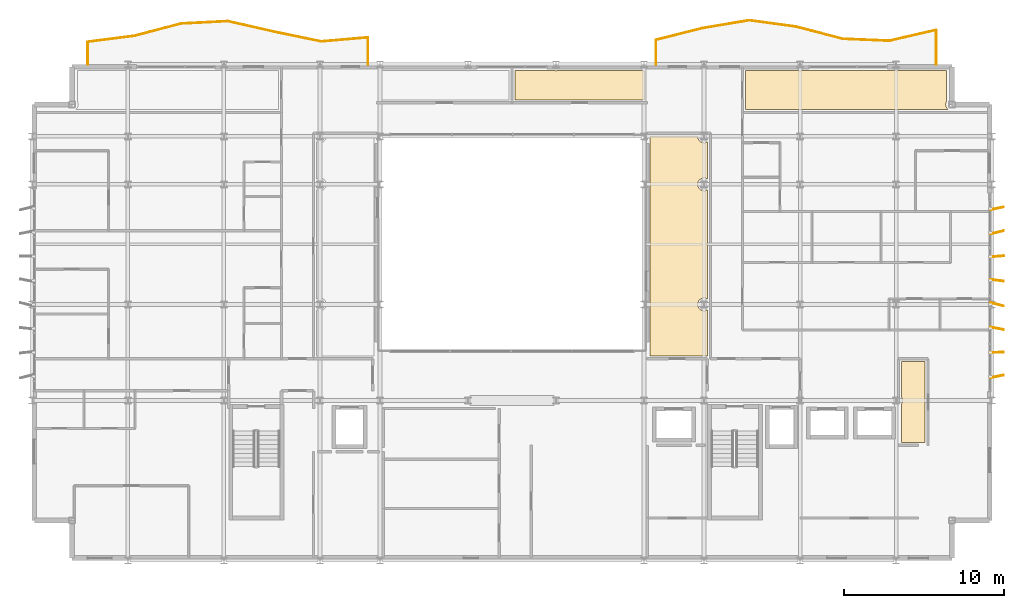
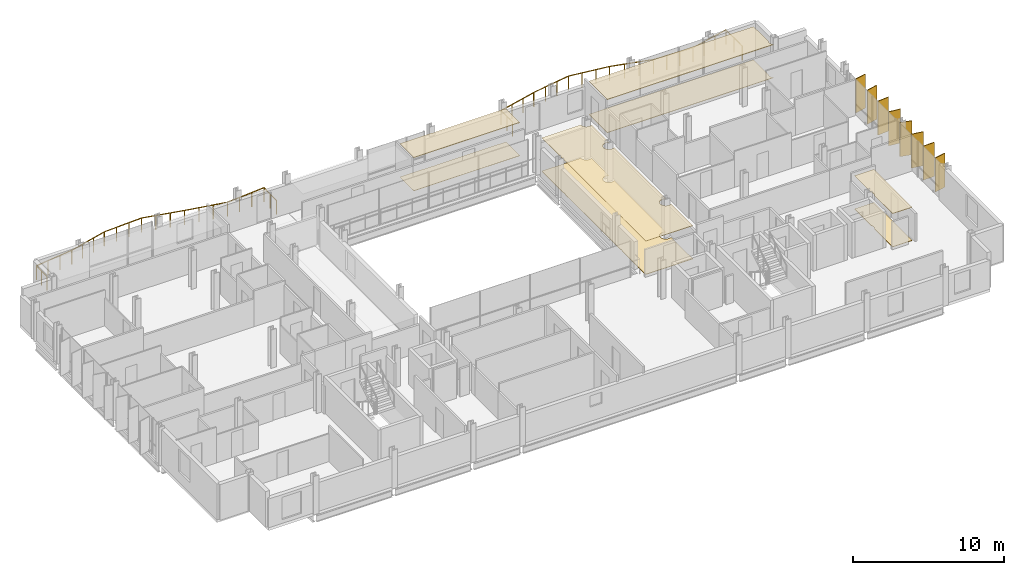
# One storey, part 38 of 38: 8 coverings, 8 shading devices, 2 railings.
"""IFC4 building model written with IfcOpenShell, lengths in metres."""

from ifc_helpers import new_model, si_unit, direction, frame, origin, origin_2d, place, context, subcontext, project, spatial, polyline, rectangle, circle, outline, extrude, material, layer, layer_set, type_object, element, save


model = new_model("IFC4")

# Units and contexts
model_context = context("Model", 3, precision=1e-05, world=origin(), true_north=direction((0.0, 1.0)))
body_context = subcontext(model_context, "Body", "Model", "MODEL_VIEW")
ifc_project = project(units=[si_unit("LENGTHUNIT", "METRE"), si_unit("AREAUNIT", "SQUARE_METRE"), si_unit("VOLUMEUNIT", "CUBIC_METRE"), si_unit("PLANEANGLEUNIT", "RADIAN"), si_unit("MASSUNIT", "GRAM", prefix="KILO")], contexts=[model_context])

# Site, building, storey
site_placement = place(None, origin())
site = spatial("IfcSite", under=ifc_project, at=site_placement, CompositionType="ELEMENT")
building_placement = place(site_placement, origin())
building = spatial("IfcBuilding", under=site, at=building_placement, Name="Brevholm Reach", CompositionType="ELEMENT")
storey_placement = place(building_placement, frame((0.0, 0.0, 166.60009765625)))
storey = spatial("IfcBuildingStorey", under=building, at=storey_placement, Name="L50", CompositionType="ELEMENT", Elevation=166.60009765625)

# Coverings
ifc_material_1 = material(Name="Perforated Mineral-Fibre Class-A Acoustic Suspended Ceiling", Category="gypsum")
ifc_layer_1 = layer(ifc_material_1, 0.044921875)
ifc_layer_set_1 = layer_set([ifc_layer_1], Name="Perforated Mineral-Fibre Class-A Acoustic Suspended Ceiling")
covering_type_1 = type_object("IfcCoveringType", Name="COV-CLG-AC", PredefinedType="CEILING", material=ifc_layer_set_1)
covering_1_placement = place(storey_placement, frame((0.0, 0.0, 2.664794921875)))
element("IfcCovering", 1, at=covering_1_placement, inside=storey, type_object=covering_type_1, Name="L50 Suspended Ceiling L50-56", PredefinedType="CEILING", context=body_context, shape_type="SweptSolid", body=[
    extrude(outline(polyline([(32.626220703125, 30.6201171875), (32.6337890625, 30.6171875), (32.672119140625, 30.607666015625), (32.710693359375, 30.601806640625), (32.75, 30.60009765625), (32.789306640625, 30.601806640625), (32.827880859375, 30.607666015625), (32.8662109375, 30.6171875), (32.873779296875, 30.6201171875), (38.126220703125, 30.6201171875), (38.1337890625, 30.6171875), (38.172119140625, 30.607666015625), (38.210693359375, 30.601806640625), (38.25, 30.60009765625), (38.26611328125, 30.600830078125), (38.26611328125, 28.783935546875), (30.18408203125, 28.783935546875), (30.18408203125, 30.6201171875), (32.626220703125, 30.6201171875)])), origin(), (0.0, 0.0, 1.0), 0.045166015625),
])
covering_2_placement = place(storey_placement, frame((0.0, 0.0, 2.664794921875)))
element("IfcCovering", 2, at=covering_2_placement, inside=storey, type_object=covering_type_1, Name="L50 Suspended Ceiling L50-57", PredefinedType="CEILING", context=body_context, shape_type="SweptSolid", body=[
    extrude(outline(polyline([(47.876220703125, 30.6201171875), (47.8837890625, 30.6171875), (47.922119140625, 30.607666015625), (47.960693359375, 30.601806640625), (48.0, 30.60009765625), (48.039306640625, 30.601806640625), (48.077880859375, 30.607666015625), (48.1162109375, 30.6171875), (48.123779296875, 30.6201171875), (53.876220703125, 30.6201171875), (53.8837890625, 30.6171875), (53.922119140625, 30.607666015625), (53.960693359375, 30.601806640625), (54.0, 30.60009765625), (54.039306640625, 30.601806640625), (54.077880859375, 30.607666015625), (54.1162109375, 30.6171875), (54.123779296875, 30.6201171875), (57.139892578125, 30.6201171875), (57.139892578125, 28.67333984375), (57.13037109375, 28.653076171875), (57.1171875, 28.6162109375), (57.107666015625, 28.577880859375), (57.101806640625, 28.539306640625), (57.10009765625, 28.5), (57.101806640625, 28.460693359375), (57.107666015625, 28.422119140625), (57.1171875, 28.3837890625), (57.13037109375, 28.346923828125), (57.147216796875, 28.311279296875), (57.16748046875, 28.27783203125), (57.19091796875, 28.24609375), (57.21728515625, 28.21728515625), (57.24609375, 28.19091796875), (57.25537109375, 28.18408203125), (44.583984375, 28.18408203125), (44.583984375, 30.6201171875), (47.876220703125, 30.6201171875)])), origin(), (0.0, 0.0, 1.0), 0.045166015625),
])
ifc_material_2 = material(Name="Moisture-Resistant Skimmed Gypsum Plasterboard Ceiling", Category="gypsum")
ifc_layer_2 = layer(ifc_material_2, 0.030029296875)
ifc_layer_set_2 = layer_set([ifc_layer_2], Name="Moisture-Resistant Skimmed Gypsum Plasterboard Ceiling")
covering_type_2 = type_object("IfcCoveringType", Name="COV-CLG-GYP", PredefinedType="CEILING", material=ifc_layer_set_2)
covering_3_placement = place(storey_placement, frame((0.0, 0.0, 2.679931640625)))
element("IfcCovering", 3, at=covering_3_placement, inside=storey, type_object=covering_type_2, Name="L50 Suspended Ceiling L50-22", PredefinedType="CEILING", context=body_context, shape_type="SweptSolid", body=[
    extrude(outline(polyline([(54.330078125, 9.7626953125), (54.33056640625, 9.764892578125), (54.33251953125, 9.777587890625), (54.33251953125, 9.77783203125), (54.352783203125, 9.811279296875), (54.36962890625, 9.846923828125), (54.3828125, 9.8837890625), (54.392333984375, 9.922119140625), (54.398193359375, 9.960693359375), (54.39990234375, 10.0), (54.398193359375, 10.039306640625), (54.392333984375, 10.077880859375), (54.3828125, 10.1162109375), (54.36962890625, 10.153076171875), (54.352783203125, 10.188720703125), (54.333984375, 10.219970703125), (54.333984375, 12.419921875), (55.81591796875, 12.419921875), (55.81591796875, 7.3798828125), (55.437255859375, 7.3798828125), (55.43505859375, 7.380615234375), (55.41748046875, 7.383056640625), (55.39990234375, 7.384033203125), (54.330078125, 7.384033203125), (54.330078125, 9.7626953125)])), origin(), (0.0, 0.0, 1.0), 0.030029296875),
])
covering_4_placement = place(storey_placement, frame((0.0, 0.0, 2.679931640625)))
element("IfcCovering", 4, at=covering_4_placement, inside=storey, type_object=covering_type_2, Name="L50 Suspended Ceiling L50-53", PredefinedType="CEILING", context=body_context, shape_type="SweptSolid", body=[
    extrude(outline(polyline([(38.6298828125, 15.876220703125), (38.6328125, 15.8837890625), (38.642333984375, 15.922119140625), (38.648193359375, 15.960693359375), (38.64990234375, 16.0), (38.648193359375, 16.039306640625), (38.642333984375, 16.077880859375), (38.6328125, 16.1162109375), (38.6298828125, 16.123779296875), (38.6298828125, 23.376220703125), (38.6328125, 23.3837890625), (38.642333984375, 23.422119140625), (38.648193359375, 23.460693359375), (38.64990234375, 23.5), (38.648193359375, 23.539306640625), (38.642333984375, 23.577880859375), (38.6328125, 23.6162109375), (38.6298828125, 23.623779296875), (38.6298828125, 26.376220703125), (38.6328125, 26.3837890625), (38.642333984375, 26.422119140625), (38.648193359375, 26.460693359375), (38.64990234375, 26.5), (38.649169921875, 26.51611328125), (41.600830078125, 26.51611328125), (41.60009765625, 26.5), (41.601806640625, 26.460693359375), (41.607666015625, 26.422119140625), (41.6171875, 26.3837890625), (41.63037109375, 26.346923828125), (41.647216796875, 26.311279296875), (41.66748046875, 26.27783203125), (41.69091796875, 26.24609375), (41.71728515625, 26.21728515625), (41.74609375, 26.19091796875), (41.77783203125, 26.16748046875), (41.811279296875, 26.147216796875), (41.846923828125, 26.13037109375), (41.8837890625, 26.1171875), (41.922119140625, 26.107666015625), (41.960693359375, 26.101806640625), (42.0, 26.10009765625), (42.039306640625, 26.101806640625), (42.077880859375, 26.107666015625), (42.1162109375, 26.1171875), (42.153076171875, 26.13037109375), (42.188720703125, 26.147216796875), (42.216064453125, 26.163818359375), (42.216064453125, 23.836181640625), (42.188720703125, 23.852783203125), (42.153076171875, 23.86962890625), (42.1162109375, 23.8828125), (42.077880859375, 23.892333984375), (42.039306640625, 23.898193359375), (42.0, 23.89990234375), (41.960693359375, 23.898193359375), (41.922119140625, 23.892333984375), (41.8837890625, 23.8828125), (41.846923828125, 23.86962890625), (41.811279296875, 23.852783203125), (41.77783203125, 23.83251953125), (41.74609375, 23.80908203125), (41.71728515625, 23.78271484375), (41.69091796875, 23.75390625), (41.66748046875, 23.72216796875), (41.647216796875, 23.688720703125), (41.63037109375, 23.653076171875), (41.6171875, 23.6162109375), (41.607666015625, 23.577880859375), (41.601806640625, 23.539306640625), (41.60009765625, 23.5), (41.601806640625, 23.460693359375), (41.607666015625, 23.422119140625), (41.6171875, 23.3837890625), (41.63037109375, 23.346923828125), (41.647216796875, 23.311279296875), (41.66748046875, 23.27783203125), (41.69091796875, 23.24609375), (41.71728515625, 23.21728515625), (41.74609375, 23.19091796875), (41.77783203125, 23.16748046875), (41.811279296875, 23.147216796875), (41.846923828125, 23.13037109375), (41.8837890625, 23.1171875), (41.922119140625, 23.107666015625), (41.960693359375, 23.101806640625), (42.0, 23.10009765625), (42.039306640625, 23.101806640625), (42.077880859375, 23.107666015625), (42.1162109375, 23.1171875), (42.153076171875, 23.13037109375), (42.188720703125, 23.147216796875), (42.216064453125, 23.163818359375), (42.216064453125, 16.336181640625), (42.188720703125, 16.352783203125), (42.153076171875, 16.36962890625), (42.1162109375, 16.3828125), (42.077880859375, 16.392333984375), (42.039306640625, 16.398193359375), (42.0, 16.39990234375), (41.960693359375, 16.398193359375), (41.922119140625, 16.392333984375), (41.8837890625, 16.3828125), (41.846923828125, 16.36962890625), (41.811279296875, 16.352783203125), (41.77783203125, 16.33251953125), (41.74609375, 16.30908203125), (41.71728515625, 16.28271484375), (41.69091796875, 16.25390625), (41.66748046875, 16.22216796875), (41.647216796875, 16.188720703125), (41.63037109375, 16.153076171875), (41.6171875, 16.1162109375), (41.607666015625, 16.077880859375), (41.601806640625, 16.039306640625), (41.60009765625, 16.0), (41.601806640625, 15.960693359375), (41.607666015625, 15.922119140625), (41.6171875, 15.8837890625), (41.63037109375, 15.846923828125), (41.647216796875, 15.811279296875), (41.66748046875, 15.77783203125), (41.69091796875, 15.74609375), (41.71728515625, 15.71728515625), (41.74609375, 15.69091796875), (41.77783203125, 15.66748046875), (41.811279296875, 15.647216796875), (41.846923828125, 15.63037109375), (41.8837890625, 15.6171875), (41.922119140625, 15.607666015625), (41.960693359375, 15.601806640625), (42.0, 15.60009765625), (42.039306640625, 15.601806640625), (42.077880859375, 15.607666015625), (42.1162109375, 15.6171875), (42.153076171875, 15.63037109375), (42.188720703125, 15.647216796875), (42.216064453125, 15.663818359375), (42.216064453125, 12.783935546875), (38.6298828125, 12.783935546875), (38.6298828125, 15.876220703125)])), origin(), (0.0, 0.0, 1.0), 0.030029296875),
])
ifc_material_3 = material(Name="Engineered European Oak Acoustic Plank Flooring", Category="timber")
ifc_layer_3 = layer(ifc_material_3, 0.02197265625)
ifc_layer_set_3 = layer_set([ifc_layer_3], Name="Engineered European Oak Acoustic Plank Flooring")
covering_type_3 = type_object("IfcCoveringType", Name="COV-FLR-OAK", PredefinedType="FLOORING", material=ifc_layer_set_3)
covering_5_placement = place(storey_placement, origin())
element("IfcCovering", 5, at=covering_5_placement, inside=storey, type_object=covering_type_3, Name="L50 Floor Finish L50-56", PredefinedType="FLOORING", context=body_context, shape_type="SweptSolid", body=[
    extrude(outline(polyline([(32.626220703125, 30.6201171875), (32.6337890625, 30.6171875), (32.672119140625, 30.607666015625), (32.710693359375, 30.601806640625), (32.75, 30.60009765625), (32.789306640625, 30.601806640625), (32.827880859375, 30.607666015625), (32.8662109375, 30.6171875), (32.873779296875, 30.6201171875), (38.126220703125, 30.6201171875), (38.1337890625, 30.6171875), (38.172119140625, 30.607666015625), (38.210693359375, 30.601806640625), (38.25, 30.60009765625), (38.26611328125, 30.600830078125), (38.26611328125, 28.783935546875), (30.18408203125, 28.783935546875), (30.18408203125, 30.6201171875), (32.626220703125, 30.6201171875)])), origin(), (0.0, 0.0, 1.0), 0.02197265625),
])
ifc_material_4 = material(Name="Honed Portland-Aggregate Resin Terrazzo Flooring", Category="concrete")
ifc_layer_4 = layer(ifc_material_4, 0.031982421875)
ifc_layer_set_4 = layer_set([ifc_layer_4], Name="Honed Portland-Aggregate Resin Terrazzo Flooring")
covering_type_4 = type_object("IfcCoveringType", Name="COV-FLR-TRZ", PredefinedType="FLOORING", material=ifc_layer_set_4)
covering_6_placement = place(storey_placement, origin())
element("IfcCovering", 6, at=covering_6_placement, inside=storey, type_object=covering_type_4, Name="L50 Floor Finish L50-22", PredefinedType="FLOORING", context=body_context, shape_type="SweptSolid", body=[
    extrude(outline(polyline([(54.330078125, 9.7626953125), (54.33056640625, 9.764892578125), (54.33251953125, 9.777587890625), (54.33251953125, 9.77783203125), (54.352783203125, 9.811279296875), (54.36962890625, 9.846923828125), (54.3828125, 9.8837890625), (54.392333984375, 9.922119140625), (54.398193359375, 9.960693359375), (54.39990234375, 10.0), (54.398193359375, 10.039306640625), (54.392333984375, 10.077880859375), (54.3828125, 10.1162109375), (54.36962890625, 10.153076171875), (54.352783203125, 10.188720703125), (54.333984375, 10.219970703125), (54.333984375, 12.419921875), (55.81591796875, 12.419921875), (55.81591796875, 7.3798828125), (55.437255859375, 7.3798828125), (55.43505859375, 7.380615234375), (55.41748046875, 7.383056640625), (55.39990234375, 7.384033203125), (54.330078125, 7.384033203125), (54.330078125, 9.7626953125)])), origin(), (0.0, 0.0, 1.0), 0.031982421875),
])
covering_7_placement = place(storey_placement, origin())
element("IfcCovering", 7, at=covering_7_placement, inside=storey, type_object=covering_type_4, Name="L50 Floor Finish L50-53", PredefinedType="FLOORING", context=body_context, shape_type="SweptSolid", body=[
    extrude(outline(polyline([(38.6298828125, 15.876220703125), (38.6328125, 15.8837890625), (38.642333984375, 15.922119140625), (38.648193359375, 15.960693359375), (38.64990234375, 16.0), (38.648193359375, 16.039306640625), (38.642333984375, 16.077880859375), (38.6328125, 16.1162109375), (38.6298828125, 16.123779296875), (38.6298828125, 23.376220703125), (38.6328125, 23.3837890625), (38.642333984375, 23.422119140625), (38.648193359375, 23.460693359375), (38.64990234375, 23.5), (38.648193359375, 23.539306640625), (38.642333984375, 23.577880859375), (38.6328125, 23.6162109375), (38.6298828125, 23.623779296875), (38.6298828125, 26.376220703125), (38.6328125, 26.3837890625), (38.642333984375, 26.422119140625), (38.648193359375, 26.460693359375), (38.64990234375, 26.5), (38.649169921875, 26.51611328125), (41.600830078125, 26.51611328125), (41.60009765625, 26.5), (41.601806640625, 26.460693359375), (41.607666015625, 26.422119140625), (41.6171875, 26.3837890625), (41.63037109375, 26.346923828125), (41.647216796875, 26.311279296875), (41.66748046875, 26.27783203125), (41.69091796875, 26.24609375), (41.71728515625, 26.21728515625), (41.74609375, 26.19091796875), (41.77783203125, 26.16748046875), (41.811279296875, 26.147216796875), (41.846923828125, 26.13037109375), (41.8837890625, 26.1171875), (41.922119140625, 26.107666015625), (41.960693359375, 26.101806640625), (42.0, 26.10009765625), (42.039306640625, 26.101806640625), (42.077880859375, 26.107666015625), (42.1162109375, 26.1171875), (42.153076171875, 26.13037109375), (42.188720703125, 26.147216796875), (42.216064453125, 26.163818359375), (42.216064453125, 23.836181640625), (42.188720703125, 23.852783203125), (42.153076171875, 23.86962890625), (42.1162109375, 23.8828125), (42.077880859375, 23.892333984375), (42.039306640625, 23.898193359375), (42.0, 23.89990234375), (41.960693359375, 23.898193359375), (41.922119140625, 23.892333984375), (41.8837890625, 23.8828125), (41.846923828125, 23.86962890625), (41.811279296875, 23.852783203125), (41.77783203125, 23.83251953125), (41.74609375, 23.80908203125), (41.71728515625, 23.78271484375), (41.69091796875, 23.75390625), (41.66748046875, 23.72216796875), (41.647216796875, 23.688720703125), (41.63037109375, 23.653076171875), (41.6171875, 23.6162109375), (41.607666015625, 23.577880859375), (41.601806640625, 23.539306640625), (41.60009765625, 23.5), (41.601806640625, 23.460693359375), (41.607666015625, 23.422119140625), (41.6171875, 23.3837890625), (41.63037109375, 23.346923828125), (41.647216796875, 23.311279296875), (41.66748046875, 23.27783203125), (41.69091796875, 23.24609375), (41.71728515625, 23.21728515625), (41.74609375, 23.19091796875), (41.77783203125, 23.16748046875), (41.811279296875, 23.147216796875), (41.846923828125, 23.13037109375), (41.8837890625, 23.1171875), (41.922119140625, 23.107666015625), (41.960693359375, 23.101806640625), (42.0, 23.10009765625), (42.039306640625, 23.101806640625), (42.077880859375, 23.107666015625), (42.1162109375, 23.1171875), (42.153076171875, 23.13037109375), (42.188720703125, 23.147216796875), (42.216064453125, 23.163818359375), (42.216064453125, 16.336181640625), (42.188720703125, 16.352783203125), (42.153076171875, 16.36962890625), (42.1162109375, 16.3828125), (42.077880859375, 16.392333984375), (42.039306640625, 16.398193359375), (42.0, 16.39990234375), (41.960693359375, 16.398193359375), (41.922119140625, 16.392333984375), (41.8837890625, 16.3828125), (41.846923828125, 16.36962890625), (41.811279296875, 16.352783203125), (41.77783203125, 16.33251953125), (41.74609375, 16.30908203125), (41.71728515625, 16.28271484375), (41.69091796875, 16.25390625), (41.66748046875, 16.22216796875), (41.647216796875, 16.188720703125), (41.63037109375, 16.153076171875), (41.6171875, 16.1162109375), (41.607666015625, 16.077880859375), (41.601806640625, 16.039306640625), (41.60009765625, 16.0), (41.601806640625, 15.960693359375), (41.607666015625, 15.922119140625), (41.6171875, 15.8837890625), (41.63037109375, 15.846923828125), (41.647216796875, 15.811279296875), (41.66748046875, 15.77783203125), (41.69091796875, 15.74609375), (41.71728515625, 15.71728515625), (41.74609375, 15.69091796875), (41.77783203125, 15.66748046875), (41.811279296875, 15.647216796875), (41.846923828125, 15.63037109375), (41.8837890625, 15.6171875), (41.922119140625, 15.607666015625), (41.960693359375, 15.601806640625), (42.0, 15.60009765625), (42.039306640625, 15.601806640625), (42.077880859375, 15.607666015625), (42.1162109375, 15.6171875), (42.153076171875, 15.63037109375), (42.188720703125, 15.647216796875), (42.216064453125, 15.663818359375), (42.216064453125, 12.783935546875), (38.6298828125, 12.783935546875), (38.6298828125, 15.876220703125)])), origin(), (0.0, 0.0, 1.0), 0.031982421875),
])
covering_8_placement = place(storey_placement, origin())
element("IfcCovering", 8, at=covering_8_placement, inside=storey, type_object=covering_type_4, Name="L50 Floor Finish L50-57", PredefinedType="FLOORING", context=body_context, shape_type="SweptSolid", body=[
    extrude(outline(polyline([(47.876220703125, 30.6201171875), (47.8837890625, 30.6171875), (47.922119140625, 30.607666015625), (47.960693359375, 30.601806640625), (48.0, 30.60009765625), (48.039306640625, 30.601806640625), (48.077880859375, 30.607666015625), (48.1162109375, 30.6171875), (48.123779296875, 30.6201171875), (53.876220703125, 30.6201171875), (53.8837890625, 30.6171875), (53.922119140625, 30.607666015625), (53.960693359375, 30.601806640625), (54.0, 30.60009765625), (54.039306640625, 30.601806640625), (54.077880859375, 30.607666015625), (54.1162109375, 30.6171875), (54.123779296875, 30.6201171875), (57.139892578125, 30.6201171875), (57.139892578125, 28.67333984375), (57.13037109375, 28.653076171875), (57.1171875, 28.6162109375), (57.107666015625, 28.577880859375), (57.101806640625, 28.539306640625), (57.10009765625, 28.5), (57.101806640625, 28.460693359375), (57.107666015625, 28.422119140625), (57.1171875, 28.3837890625), (57.13037109375, 28.346923828125), (57.147216796875, 28.311279296875), (57.16748046875, 28.27783203125), (57.19091796875, 28.24609375), (57.21728515625, 28.21728515625), (57.24609375, 28.19091796875), (57.25537109375, 28.18408203125), (44.583984375, 28.18408203125), (44.583984375, 30.6201171875), (47.876220703125, 30.6201171875)])), origin(), (0.0, 0.0, 1.0), 0.031982421875),
])

# Railings
ifc_material_5 = material(Name="Brushed Stainless Steel EN 1.4401 and Laminated Glass", Category="steel")
railing_type = type_object("IfcRailingType", Name="RAL-BALC-1150", PredefinedType="BALUSTRADE", material=ifc_material_5)
railing_1_placement = place(storey_placement, frame((56.5, 31.0, 0.0)))
element("IfcRailing", 9, at=railing_1_placement, inside=storey, type_object=railing_type, Name="L50 Guard Balustrade RAL-L50-BAL-NE", PredefinedType="BALUSTRADE", context=body_context, shape_type="SweptSolid", body=[
    extrude(circle(Radius=0.02392578125, at=origin_2d()), frame((0.0, 0.0, 1.1259765625), z_axis=(0.0, 1.0, 0.0), x_axis=(-1.0, 0.0, 0.0)), (0.0, 0.0, 1.0), 2.1455078125),
    extrude(circle(Radius=0.02392578125, at=origin_2d()), frame((0.0, 2.1455078125, 1.1259765625), z_axis=(-0.974086615793, -0.226175296912, 0.0), x_axis=(0.226175296912, -0.974086615793, 0.0)), (0.0, 0.0, 1.0), 2.994384765625),
    extrude(circle(Radius=0.02392578125, at=origin_2d()), frame((-2.916748046875, 1.46826171875, 1.1259765625), z_axis=(-0.999139150441, 0.041484431493, 0.0), x_axis=(-0.041484431493, -0.999139150441, 0.0)), (0.0, 0.0, 1.0), 2.9189453125),
    extrude(circle(Radius=0.02392578125, at=origin_2d()), frame((-5.833251953125, 1.58935546875, 1.1259765625), z_axis=(-0.967668860758, 0.252224058961, 0.0), x_axis=(-0.252224058961, -0.967668860758, 0.0)), (0.0, 0.0, 1.0), 3.01416015625),
    extrude(circle(Radius=0.02392578125, at=origin_2d()), frame((-8.75, 2.349609375, 1.1259765625), z_axis=(-0.990787222307, 0.135427767141, 0.0), x_axis=(-0.135427767141, -0.990787222307, 0.0)), (0.0, 0.0, 1.0), 2.94384765625),
    extrude(circle(Radius=0.02392578125, at=origin_2d()), frame((-11.666748046875, 2.748291015625, 1.1259765625), z_axis=(-0.986326897089, -0.164800643445, 0.0), x_axis=(0.164800643445, -0.986326897089, 0.0)), (0.0, 0.0, 1.0), 2.95703125),
    extrude(circle(Radius=0.02392578125, at=origin_2d()), frame((-14.583251953125, 2.260986328125, 1.1259765625), z_axis=(-0.969908046993, -0.243471518618, 0.0), x_axis=(0.243471518618, -0.969908046993, 0.0)), (0.0, 0.0, 1.0), 3.00732421875),
    extrude(circle(Radius=0.02392578125, at=origin_2d()), frame((-17.5, 1.52880859375, 1.1259765625), z_axis=(0.0, -1.0, 0.0), x_axis=(1.0, 0.0, 0.0)), (0.0, 0.0, 1.0), 1.52880859375),
    extrude(circle(Radius=0.02099609375, at=origin_2d()), origin(), (0.0, 0.0, 1.0), 1.101806640625),
    extrude(circle(Radius=0.02099609375, at=origin_2d()), frame((0.0, 1.07275390625, 0.0)), (0.0, 0.0, 1.0), 1.101806640625),
    extrude(circle(Radius=0.02099609375, at=origin_2d()), frame((0.0, 2.1455078125, 0.0)), (0.0, 0.0, 1.0), 1.101806640625),
    extrude(circle(Radius=0.02099609375, at=origin_2d()), frame((-0.97216796875, 1.919677734375, 0.0)), (0.0, 0.0, 1.0), 1.101806640625),
    extrude(circle(Radius=0.02099609375, at=origin_2d()), frame((-1.944580078125, 1.694091796875, 0.0)), (0.0, 0.0, 1.0), 1.101806640625),
    extrude(circle(Radius=0.02099609375, at=origin_2d()), frame((-2.916748046875, 1.46826171875, 0.0)), (0.0, 0.0, 1.0), 1.101806640625),
    extrude(circle(Radius=0.02099609375, at=origin_2d()), frame((-3.888916015625, 1.508544921875, 0.0)), (0.0, 0.0, 1.0), 1.101806640625),
    extrude(circle(Radius=0.02099609375, at=origin_2d()), frame((-4.861083984375, 1.549072265625, 0.0)), (0.0, 0.0, 1.0), 1.101806640625),
    extrude(circle(Radius=0.02099609375, at=origin_2d()), frame((-5.833251953125, 1.58935546875, 0.0)), (0.0, 0.0, 1.0), 1.101806640625),
    extrude(circle(Radius=0.02099609375, at=origin_2d()), frame((-6.805419921875, 1.8427734375, 0.0)), (0.0, 0.0, 1.0), 1.101806640625),
    extrude(circle(Radius=0.02099609375, at=origin_2d()), frame((-7.77783203125, 2.09619140625, 0.0)), (0.0, 0.0, 1.0), 1.101806640625),
    extrude(circle(Radius=0.02099609375, at=origin_2d()), frame((-8.75, 2.349609375, 0.0)), (0.0, 0.0, 1.0), 1.101806640625),
    extrude(circle(Radius=0.02099609375, at=origin_2d()), frame((-9.72216796875, 2.482421875, 0.0)), (0.0, 0.0, 1.0), 1.101806640625),
    extrude(circle(Radius=0.02099609375, at=origin_2d()), frame((-10.694580078125, 2.615478515625, 0.0)), (0.0, 0.0, 1.0), 1.101806640625),
    extrude(circle(Radius=0.02099609375, at=origin_2d()), frame((-11.666748046875, 2.748291015625, 0.0)), (0.0, 0.0, 1.0), 1.101806640625),
    extrude(circle(Radius=0.02099609375, at=origin_2d()), frame((-12.638916015625, 2.5859375, 0.0)), (0.0, 0.0, 1.0), 1.101806640625),
    extrude(circle(Radius=0.02099609375, at=origin_2d()), frame((-13.611083984375, 2.42333984375, 0.0)), (0.0, 0.0, 1.0), 1.101806640625),
    extrude(circle(Radius=0.02099609375, at=origin_2d()), frame((-14.583251953125, 2.260986328125, 0.0)), (0.0, 0.0, 1.0), 1.101806640625),
    extrude(circle(Radius=0.02099609375, at=origin_2d()), frame((-15.555419921875, 2.016845703125, 0.0)), (0.0, 0.0, 1.0), 1.101806640625),
    extrude(circle(Radius=0.02099609375, at=origin_2d()), frame((-16.52783203125, 1.77294921875, 0.0)), (0.0, 0.0, 1.0), 1.101806640625),
    extrude(circle(Radius=0.02099609375, at=origin_2d()), frame((-17.5, 1.52880859375, 0.0)), (0.0, 0.0, 1.0), 1.101806640625),
    extrude(circle(Radius=0.02099609375, at=origin_2d()), frame((-17.5, 0.764404296875, 0.0)), (0.0, 0.0, 1.0), 1.101806640625),
    extrude(circle(Radius=0.02099609375, at=origin_2d()), frame((-17.5, 0.0, 0.0)), (0.0, 0.0, 1.0), 1.101806640625),
])
railing_2_placement = place(storey_placement, frame((21.0, 31.0, 0.0)))
element("IfcRailing", 10, at=railing_2_placement, inside=storey, type_object=railing_type, Name="L50 Guard Balustrade RAL-L50-BAL-NW", PredefinedType="BALUSTRADE", context=body_context, shape_type="SweptSolid", body=[
    extrude(circle(Radius=0.02392578125, at=origin_2d()), frame((0.0, 0.0, 1.1259765625), z_axis=(0.0, 1.0, 0.0), x_axis=(-1.0, 0.0, 0.0)), (0.0, 0.0, 1.0), 1.67822265625),
    extrude(circle(Radius=0.02392578125, at=origin_2d()), frame((0.0, 1.67822265625, 1.1259765625), z_axis=(-0.996282713287, -0.086143805376, 0.0), x_axis=(0.086143805376, -0.996282713287, 0.0)), (0.0, 0.0, 1.0), 2.927734375),
    extrude(circle(Radius=0.02392578125, at=origin_2d()), frame((-2.916748046875, 1.426025390625, 1.1259765625), z_axis=(-0.979367411888, 0.202087784221, 0.0), x_axis=(-0.202087784221, -0.979367411888, 0.0)), (0.0, 0.0, 1.0), 2.97802734375),
    extrude(circle(Radius=0.02392578125, at=origin_2d()), frame((-5.833251953125, 2.02783203125, 1.1259765625), z_axis=(-0.975066268344, 0.221913884961, 0.0), x_axis=(-0.221913884961, -0.975066268344, 0.0)), (0.0, 0.0, 1.0), 2.991455078125),
    extrude(circle(Radius=0.02392578125, at=origin_2d()), frame((-8.75, 2.691650390625, 1.1259765625), z_axis=(-0.998720239463, -0.050575520622, 0.0), x_axis=(0.050575520622, -0.998720239463, 0.0)), (0.0, 0.0, 1.0), 2.92041015625),
    extrude(circle(Radius=0.02392578125, at=origin_2d()), frame((-11.666748046875, 2.5439453125, 1.1259765625), z_axis=(-0.967287116441, -0.253684123205, 0.0), x_axis=(0.253684123205, -0.967287116441, 0.0)), (0.0, 0.0, 1.0), 3.01513671875),
    extrude(circle(Radius=0.02392578125, at=origin_2d()), frame((-14.583251953125, 1.779052734375, 1.1259765625), z_axis=(-0.991825721968, -0.127599910828, 0.0), x_axis=(0.127599910828, -0.991825721968, 0.0)), (0.0, 0.0, 1.0), 2.940673828125),
    extrude(circle(Radius=0.02392578125, at=origin_2d()), frame((-17.5, 1.40380859375, 1.1259765625), z_axis=(0.0, -1.0, 0.0), x_axis=(1.0, 0.0, 0.0)), (0.0, 0.0, 1.0), 1.40380859375),
    extrude(circle(Radius=0.02099609375, at=origin_2d()), origin(), (0.0, 0.0, 1.0), 1.101806640625),
    extrude(circle(Radius=0.02099609375, at=origin_2d()), frame((0.0, 0.839111328125, 0.0)), (0.0, 0.0, 1.0), 1.101806640625),
    extrude(circle(Radius=0.02099609375, at=origin_2d()), frame((0.0, 1.67822265625, 0.0)), (0.0, 0.0, 1.0), 1.101806640625),
    extrude(circle(Radius=0.02099609375, at=origin_2d()), frame((-0.97216796875, 1.59423828125, 0.0)), (0.0, 0.0, 1.0), 1.101806640625),
    extrude(circle(Radius=0.02099609375, at=origin_2d()), frame((-1.944580078125, 1.510009765625, 0.0)), (0.0, 0.0, 1.0), 1.101806640625),
    extrude(circle(Radius=0.02099609375, at=origin_2d()), frame((-2.916748046875, 1.426025390625, 0.0)), (0.0, 0.0, 1.0), 1.101806640625),
    extrude(circle(Radius=0.02099609375, at=origin_2d()), frame((-3.888916015625, 1.626708984375, 0.0)), (0.0, 0.0, 1.0), 1.101806640625),
    extrude(circle(Radius=0.02099609375, at=origin_2d()), frame((-4.861083984375, 1.8271484375, 0.0)), (0.0, 0.0, 1.0), 1.101806640625),
    extrude(circle(Radius=0.02099609375, at=origin_2d()), frame((-5.833251953125, 2.02783203125, 0.0)), (0.0, 0.0, 1.0), 1.101806640625),
    extrude(circle(Radius=0.02099609375, at=origin_2d()), frame((-6.805419921875, 2.2490234375, 0.0)), (0.0, 0.0, 1.0), 1.101806640625),
    extrude(circle(Radius=0.02099609375, at=origin_2d()), frame((-7.77783203125, 2.470458984375, 0.0)), (0.0, 0.0, 1.0), 1.101806640625),
    extrude(circle(Radius=0.02099609375, at=origin_2d()), frame((-8.75, 2.691650390625, 0.0)), (0.0, 0.0, 1.0), 1.101806640625),
    extrude(circle(Radius=0.02099609375, at=origin_2d()), frame((-9.72216796875, 2.642333984375, 0.0)), (0.0, 0.0, 1.0), 1.101806640625),
    extrude(circle(Radius=0.02099609375, at=origin_2d()), frame((-10.694580078125, 2.59326171875, 0.0)), (0.0, 0.0, 1.0), 1.101806640625),
    extrude(circle(Radius=0.02099609375, at=origin_2d()), frame((-11.666748046875, 2.5439453125, 0.0)), (0.0, 0.0, 1.0), 1.101806640625),
    extrude(circle(Radius=0.02099609375, at=origin_2d()), frame((-12.638916015625, 2.2890625, 0.0)), (0.0, 0.0, 1.0), 1.101806640625),
    extrude(circle(Radius=0.02099609375, at=origin_2d()), frame((-13.611083984375, 2.033935546875, 0.0)), (0.0, 0.0, 1.0), 1.101806640625),
    extrude(circle(Radius=0.02099609375, at=origin_2d()), frame((-14.583251953125, 1.779052734375, 0.0)), (0.0, 0.0, 1.0), 1.101806640625),
    extrude(circle(Radius=0.02099609375, at=origin_2d()), frame((-15.555419921875, 1.654052734375, 0.0)), (0.0, 0.0, 1.0), 1.101806640625),
    extrude(circle(Radius=0.02099609375, at=origin_2d()), frame((-16.52783203125, 1.52880859375, 0.0)), (0.0, 0.0, 1.0), 1.101806640625),
    extrude(circle(Radius=0.02099609375, at=origin_2d()), frame((-17.5, 1.40380859375, 0.0)), (0.0, 0.0, 1.0), 1.101806640625),
    extrude(circle(Radius=0.02099609375, at=origin_2d()), frame((-17.5, 0.701904296875, 0.0)), (0.0, 0.0, 1.0), 1.101806640625),
    extrude(circle(Radius=0.02099609375, at=origin_2d()), frame((-17.5, 0.0, 0.0)), (0.0, 0.0, 1.0), 1.101806640625),
])

# Shading devices
ifc_material_6 = material(Name="Perforated Champagne-Bronze Anodised Aluminium", Category="aluminium")
ifc_layer_5 = layer(ifc_material_6, 0.054931640625)
ifc_layer_set_5 = layer_set([ifc_layer_5], Name="Perforated Champagne-Bronze Anodised Aluminium")
shading_device_type = type_object("IfcShadingDeviceType", Name="SHD-FIN-850", PredefinedType="USERDEFINED", material=ifc_layer_set_5)
for number, where, z_axis, x_axis, name in (
    (11, (60.31494140625, 11.5, 0.06982421875), (0.0, 0.0, 1.0), (0.978949399867, 0.204103092822, 0.0), "L50 Perforated Solar Screen Fin 1"),
    (12, (60.31494140625, 13.0, 0.06982421875), (0.0, 0.0, 1.0), (0.999690734068, 0.024868377876, 0.0), "L50 Perforated Solar Screen Fin 2"),
    (13, (60.31494140625, 14.5, 0.06982421875), (0.0, 0.0, 1.0), (0.984807753012, -0.173648177667, 0.0), "L50 Perforated Solar Screen Fin 3"),
    (14, (60.31494140625, 16.0, 0.06982421875), (0.0, 0.0, 1.0), (0.970737441733, -0.240143330569, 0.0), "L50 Perforated Solar Screen Fin 4"),
    (15, (60.31494140625, 17.5, 0.06982421875), (0.0, 0.0, 1.0), (0.991834454673, -0.12753201372, 0.0), "L50 Perforated Solar Screen Fin 5"),
    (16, (60.31494140625, 19.0, 0.06982421875), (0.0, 0.0, 1.0), (0.99655248272, 0.082964746633, 0.0), "L50 Perforated Solar Screen Fin 6"),
    (17, (60.31494140625, 20.5, 0.06982421875), (0.0, 0.0, 1.0), (0.973335237206, 0.229387262099, 0.0), "L50 Perforated Solar Screen Fin 7"),
    (18, (60.31494140625, 22.0, 0.06982421875), (0.0, 0.0, 1.0), (0.978949399867, 0.204103092822, 0.0), "L50 Perforated Solar Screen Fin 8"),
):
    element("IfcShadingDevice", number, at=place(storey_placement, frame(where, z_axis=z_axis, x_axis=x_axis)), inside=storey, type_object=shading_device_type, Name=name, ObjectType="SCREEN", PredefinedType="USERDEFINED", context=body_context, shape_type="SweptSolid", body=[
        extrude(rectangle(XDim=0.85009765625, YDim=0.054931640625, at=origin_2d()), origin(), (0.0, 0.0, 1.0), 2.739990234375),
    ])

save(model, "model.ifc")
